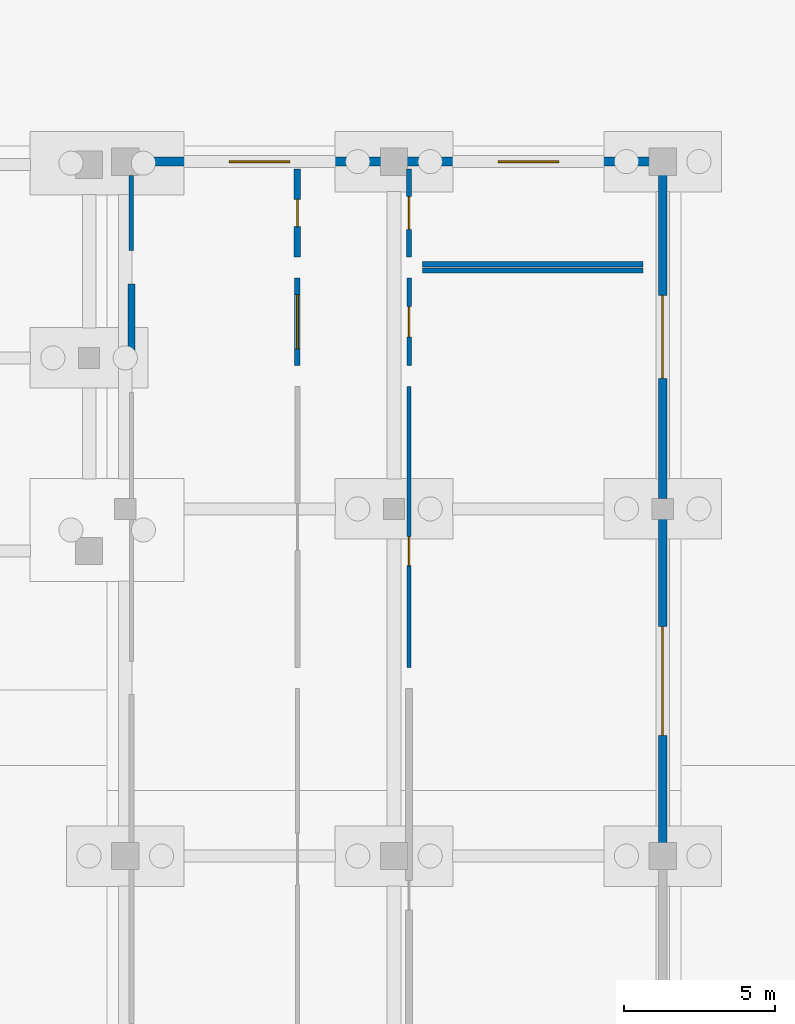
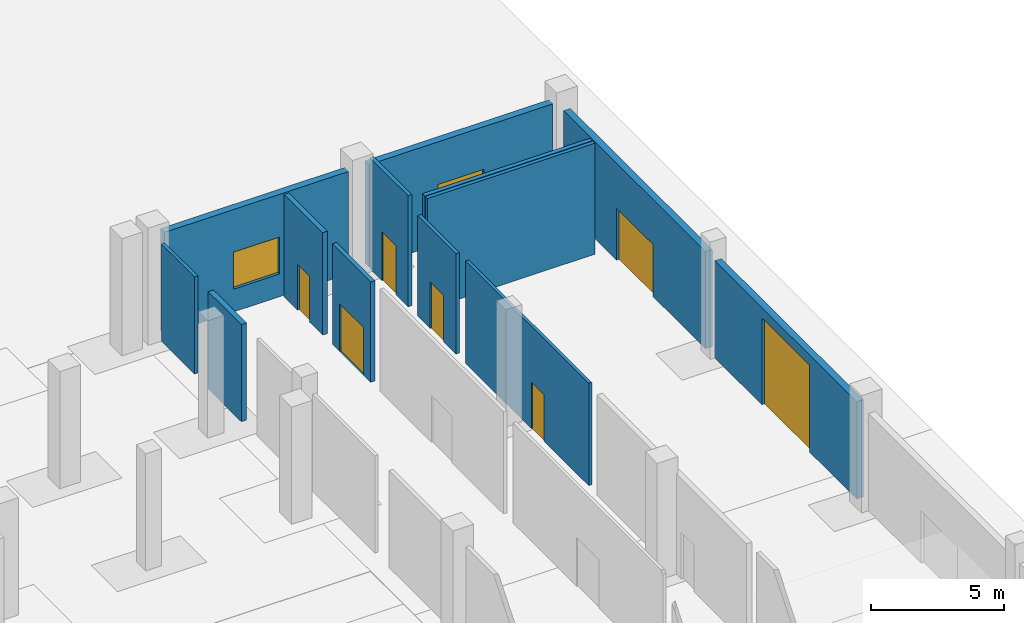
# One storey, part 42 of 68: 13 walls, 7 doors, 2 windows, 9 openings.
"""IFC4 building model written with IfcOpenShell, lengths in metres."""

import ifcopenshell
import ifcopenshell.guid

model = None  # the IFC model being written
_history = None  # IfcOwnerHistory: only IFC2X3 demands one
_inside = {}  # id of a spatial element -> (the spatial element, [elements in it])
_under = {}  # id of a project, library or spatial element -> (it, [spatial elements below it])
_declared = {}  # id of a project -> (the project, [libraries it declares])
_typed = {}  # id of a type object -> (the type object, [elements of that type])
_made_of = {}  # id of a material, layer set ... -> (it, [elements and type objects made of it])


def new_model(schema):
    """Start an empty IFC model of exactly this schema.

    Asked for "IFC4X3", IfcOpenShell would pick the latest addendum, in which some entities
    have other attributes; the version numbers below select the first issue.
    IFC2X3 requires an IfcOwnerHistory on every rooted entity: one is made here for all.
    """
    global model, _history
    if schema == "IFC4X3":
        model = ifcopenshell.file(schema_version=(4, 3, 0, 0))
    else:
        model = ifcopenshell.file(schema=schema)
    _inside.clear()
    _under.clear()
    _declared.clear()
    _typed.clear()
    _made_of.clear()
    _history = None
    if model.schema == "IFC2X3":
        org = make("IfcOrganization", Name="unknown")
        user = make(
            "IfcPersonAndOrganization",
            ThePerson=make("IfcPerson", FamilyName="unknown"),
            TheOrganization=org,
        )
        app = make(
            "IfcApplication",
            ApplicationDeveloper=org,
            Version="unknown",
            ApplicationFullName="unknown",
            ApplicationIdentifier="unknown",
        )
        _history = make(
            "IfcOwnerHistory",
            OwningUser=user,
            OwningApplication=app,
            ChangeAction="ADDED",
            CreationDate=0,
        )
    return model


def make(cls, **values):
    """One entity of the class cls with the attributes given. An attribute that is None is left unset."""
    return model.create_entity(
        cls, **{name: value for name, value in values.items() if value is not None}
    )


def rooted(cls, **values):
    """An entity with a GlobalId (a new one), such as an element, a storey or a relation."""
    return make(cls, GlobalId=ifcopenshell.guid.new(), OwnerHistory=_history, **values)


def si_unit(unit_type, name, prefix=None):
    """IfcSIUnit, for example si_unit("LENGTHUNIT", "METRE", prefix="MILLI")."""
    return make("IfcSIUnit", UnitType=unit_type, Prefix=prefix, Name=name)


def assignment(units):
    """IfcUnitAssignment: the units of a project."""
    return None if units is None else make("IfcUnitAssignment", Units=units)


def point(xyz):
    """IfcCartesianPoint."""
    return None if xyz is None else make("IfcCartesianPoint", Coordinates=xyz)


def direction(xyz):
    """IfcDirection."""
    return None if xyz is None else make("IfcDirection", DirectionRatios=xyz)


def frame(location, z_axis=None, x_axis=None):
    """IfcAxis2Placement3D, a coordinate frame: its origin and axes. An axis left out is left unset."""
    return make(
        "IfcAxis2Placement3D",
        Location=point(location),
        Axis=direction(z_axis),
        RefDirection=direction(x_axis),
    )


def frame_2d(location, x_axis=None):
    """IfcAxis2Placement2D, a coordinate frame in the plane: its origin and x axis."""
    return make(
        "IfcAxis2Placement2D", Location=point(location), RefDirection=direction(x_axis)
    )


def origin():
    """The frame at (0, 0, 0) with its axes left unset."""
    return frame((0.0, 0.0, 0.0))


def place(relative_to, where):
    """IfcLocalPlacement: puts the frame where relative to a parent placement (None: the world)."""
    return make(
        "IfcLocalPlacement", PlacementRelTo=relative_to, RelativePlacement=where
    )


def context(
    kind, dimensions, precision=None, world=None, true_north=None, identifier=None
):
    """IfcGeometricRepresentationContext, for example the 3D "Model" context."""
    return make(
        "IfcGeometricRepresentationContext",
        ContextIdentifier=identifier,
        ContextType=kind,
        CoordinateSpaceDimension=dimensions,
        Precision=precision,
        WorldCoordinateSystem=world,
        TrueNorth=true_north,
    )


def subcontext(parent, identifier, kind, view, scale=None):
    """IfcGeometricRepresentationSubContext, for example "Body" below "Model"."""
    return make(
        "IfcGeometricRepresentationSubContext",
        ContextIdentifier=identifier,
        ContextType=kind,
        ParentContext=parent,
        TargetScale=scale,
        TargetView=view,
    )


def project(units=None, contexts=None):
    """IfcProject with its units and contexts."""
    return rooted(
        "IfcProject",
        Name="project",
        RepresentationContexts=contexts,
        UnitsInContext=assignment(units),
    )


def spatial(cls, under=None, at=None, **own):
    """A site, building, storey or space (cls), placed at a placement, below another one or the project."""
    s = rooted(cls, ObjectPlacement=at, **own)
    if under is not None:
        _under.setdefault(under.id(), (under, []))[1].append(s)
    return s


def profile(cls, at=None, kind="AREA", **sizes):
    """A parametric profile (cls). Its sizes go by their IFC names, for example OverallWidth=200.0."""
    return make(cls, ProfileType=kind, Position=at, **sizes)


def rectangle(**sizes):
    """IfcRectangleProfileDef."""
    return profile("IfcRectangleProfileDef", **sizes)


def extrude(swept, where, along, depth):
    """IfcExtrudedAreaSolid: the profile swept, set in the frame where, extruded along a direction by depth."""
    return make(
        "IfcExtrudedAreaSolid",
        SweptArea=swept,
        Position=where,
        ExtrudedDirection=direction(along),
        Depth=depth,
    )


def shape(context_of_items, identifier, shape_type, items):
    """IfcShapeRepresentation: the items that make up one representation, for example the "Body"."""
    return make(
        "IfcShapeRepresentation",
        ContextOfItems=context_of_items,
        RepresentationIdentifier=identifier,
        RepresentationType=shape_type,
        Items=items,
    )


def material(Name=None, Category=None):
    """IfcMaterial."""
    return make("IfcMaterial", Name=Name, Category=Category)


def layer(
    of_material, thickness, ventilated=None, Name=None, Category=None, Priority=None
):
    """IfcMaterialLayer: one layer of a wall or slab, of a material (None: an air gap)."""
    return make(
        "IfcMaterialLayer",
        Material=of_material,
        LayerThickness=thickness,
        IsVentilated=ventilated,
        Name=Name,
        Category=Category,
        Priority=Priority,
    )


def layer_set(layers, Name=None):
    """IfcMaterialLayerSet."""
    return make("IfcMaterialLayerSet", MaterialLayers=layers, LayerSetName=Name)


def made_of(thing, what):
    """Note that an element or type object is made of a material, layer set ...; save() writes the relation."""
    if what is not None:
        _made_of.setdefault(what.id(), (what, []))[1].append(thing)
    return thing


def type_object(cls, material=None, **own):
    """A type object (cls), such as IfcWallType, which elements share."""
    return made_of(rooted(cls, **own), material)


def element(
    cls,
    number,
    at=None,
    inside=None,
    cuts=None,
    type_object=None,
    material=None,
    context=None,
    identifier="Body",
    shape_type=None,
    held_by="IfcProductDefinitionShape",
    body=None,
    shapes=None,
    **own,
):
    """One element of the class cls, such as IfcWall. Its Tag is "e" and its number.

    at: its placement. inside: the storey or other place that contains it. cuts: it is an
    opening in that element (IfcRelVoidsElement). A single representation is given by context,
    identifier, shape_type and body (its items); several are given by shapes. held_by: the class
    of the entity that holds the representations. save() writes the other relations.
    """
    e = rooted(cls, Tag="e%d" % number, ObjectPlacement=at, **own)
    if body is not None:
        shapes = [shape(context, identifier, shape_type, body)]
    if shapes is not None:
        e.Representation = make(held_by, Representations=shapes)
    if inside is not None:
        _inside.setdefault(inside.id(), (inside, []))[1].append(e)
    if cuts is not None:
        rooted(
            "IfcRelVoidsElement", RelatingBuildingElement=cuts, RelatedOpeningElement=e
        )
    if type_object is not None:
        _typed.setdefault(type_object.id(), (type_object, []))[1].append(e)
    return made_of(e, material)


def fill(opening, filler):
    """IfcRelFillsElement: the door or window that sits in an opening."""
    return rooted(
        "IfcRelFillsElement",
        RelatingOpeningElement=opening,
        RelatedBuildingElement=filler,
    )


def aggregate(whole, parts):
    """IfcRelAggregates: a whole, such as a stair, and the parts it consists of."""
    return rooted("IfcRelAggregates", RelatingObject=whole, RelatedObjects=parts)


def save(model, path):
    """Write the relations noted so far, then the file.

    IfcRelAggregates (storeys below a building ...), IfcRelContainedInSpatialStructure (elements
    in a storey), IfcRelDefinesByType, IfcRelAssociatesMaterial and IfcRelDeclares: one each for
    every whole, place, type object, material and project.
    """
    for whole, parts in _under.values():
        aggregate(whole, parts)
    for where, things in _inside.values():
        rooted(
            "IfcRelContainedInSpatialStructure",
            RelatedElements=things,
            RelatingStructure=where,
        )
    for kind, things in _typed.values():
        rooted("IfcRelDefinesByType", RelatedObjects=things, RelatingType=kind)
    for what, things in _made_of.values():
        rooted("IfcRelAssociatesMaterial", RelatedObjects=things, RelatingMaterial=what)
    for by, libraries in _declared.values():
        rooted("IfcRelDeclares", RelatingContext=by, RelatedDefinitions=libraries)
    model.write(path)


model = new_model("IFC4")

# Units and contexts
model_context = context("Model", 3, precision=1e-05, world=origin(), true_north=direction((0.0, 1.0)))
body_context = subcontext(model_context, "Body", "Model", "MODEL_VIEW")
ifc_project = project(units=[si_unit("LENGTHUNIT", "METRE"), si_unit("AREAUNIT", "SQUARE_METRE"), si_unit("VOLUMEUNIT", "CUBIC_METRE"), si_unit("PLANEANGLEUNIT", "RADIAN"), si_unit("MASSUNIT", "GRAM", prefix="KILO")], contexts=[model_context])

# Site, building, storey
site_placement = place(None, origin())
site = spatial("IfcSite", under=ifc_project, at=site_placement, CompositionType="ELEMENT")
building_placement = place(site_placement, origin())
building = spatial("IfcBuilding", under=site, at=building_placement, Name="Candeia Ridge Stadium", CompositionType="ELEMENT")
storey_placement = place(building_placement, origin())
storey = spatial("IfcBuildingStorey", under=building, at=storey_placement, Name="L00", CompositionType="ELEMENT", Elevation=0.0)

# Walls
ifc_material_1 = material(Name="Gypsum Metal-Stud Partition", Category="gypsum")
ifc_layer_1 = layer(ifc_material_1, 0.14501953125, Name="Gypsum Metal-Stud Partition", Category="gypsum")
ifc_layer_set_1 = layer_set([ifc_layer_1], Name="Gypsum Metal-Stud Partition")
wall_type_1 = type_object("IfcWallType", Name="Athlete Recovery Partition 145", PredefinedType="PARTITIONING", material=ifc_layer_set_1)
wall_1_placement = place(storey_placement, frame((193.800048828125, 143.550048828125, 0.0), z_axis=(0.0, 0.0, 1.0), x_axis=(0.0, 1.0, 0.0)))
element("IfcWall", 1, at=wall_1_placement, inside=storey, type_object=wall_type_1, Name="Demising partition PT-L00-0049", PredefinedType="PARTITIONING", context=body_context, shape_type="SweptSolid", body=[
    extrude(rectangle(XDim=2.5, YDim=0.14501953125, at=frame_2d((1.25, 0.0))), origin(), (0.0, 0.0, 1.0), 4.47509765625),
])
ifc_material_2 = material(Name="Gypsum Acoustic Twin-Stud Assembly", Category="gypsum")
ifc_layer_2 = layer(ifc_material_2, 0.159912109375, Name="Gypsum Acoustic Twin-Stud Assembly", Category="gypsum")
ifc_layer_set_2 = layer_set([ifc_layer_2], Name="Gypsum Acoustic Twin-Stud Assembly")
wall_type_2 = type_object("IfcWallType", Name="Club Dining Acoustic Partition 160", PredefinedType="PARTITIONING", material=ifc_layer_set_2)
wall_2_placement = place(storey_placement, frame((203.449951171875, 142.89990234375, 0.0), z_axis=(0.0, 0.0, 1.0), x_axis=(1.0, 0.0, 0.0)))
element("IfcWall", 2, at=wall_2_placement, inside=storey, type_object=wall_type_2, Name="Demising partition PT-L00-0047", PredefinedType="PARTITIONING", context=body_context, shape_type="SweptSolid", body=[
    extrude(rectangle(XDim=7.300048828125, YDim=0.159912109375, at=frame_2d((3.64990234375, 0.0))), origin(), (0.0, 0.0, 1.0), 5.1201171875),
])

# Wall, opening, door
wall_3_placement = place(storey_placement, frame((203.0, 143.35009765625, 0.0), z_axis=(0.0, 0.0, 1.0), x_axis=(0.0, 1.0, 0.0)))
wall_3 = element("IfcWall", 3, at=wall_3_placement, inside=storey, type_object=wall_type_2, Name="Interior partition PT-L00-0050", PredefinedType="PARTITIONING", context=body_context, shape_type="SweptSolid", body=[
    extrude(rectangle(XDim=2.89990234375, YDim=0.159912109375, at=frame_2d((1.449951171875, 0.0))), origin(), (0.0, 0.0, 1.0), 5.1201171875),
])
opening_1_placement = place(wall_3_placement, frame((0.909912109375, 0.0, 0.0)))
opening_1 = element("IfcOpeningElement", 4, at=opening_1_placement, cuts=wall_3, Name="Opening ID08", PredefinedType="OPENING", context=body_context, shape_type="SweptSolid", body=[
    extrude(rectangle(XDim=1.080078125, YDim=2.25, at=frame_2d((0.5400390625, 1.125))), frame((0.0, 0.08984375, 0.0), z_axis=(0.0, -1.0, 0.0), x_axis=(1.0, 0.0, 0.0)), (0.0, 0.0, 1.0), 0.179931640625),
])
ifc_material_3 = material(Name="Western Red Cedar Acoustic Veneer", Category="wood")
door_type_1 = type_object("IfcDoorType", Name="Executive Skybox Entry Door 1080x2250", OperationType="NOTDEFINED", PredefinedType="DOOR", material=ifc_material_3)
door_1_placement = place(opening_1_placement, origin())
door_1 = element("IfcDoor", 5, at=door_1_placement, inside=storey, type_object=door_type_1, Name="Interior room door D-L00-0028", OperationType="SINGLE_SWING_LEFT", OverallHeight=2.25, OverallWidth=1.080078125, PredefinedType="DOOR", context=body_context, shape_type="SweptSolid", body=[
    extrude(rectangle(XDim=1.080078125, YDim=2.25, at=frame_2d((0.5400390625, 1.125))), frame((0.0, 0.02490234375, 0.0), z_axis=(0.0, -1.0, 0.0), x_axis=(1.0, 0.0, 0.0)), (0.0, 0.0, 1.0), 0.050048828125),
])
fill(opening_1, door_1)

ifc_material_4 = material(Name="Concrete Masonry Blockwork C25/30", Category="masonry")
ifc_layer_3 = layer(ifc_material_4, 0.14990234375, Name="Concrete Masonry Blockwork C25/30", Category="masonry")
ifc_layer_set_3 = layer_set([ifc_layer_3], Name="Concrete Masonry Blockwork C25/30")
wall_type_3 = type_object("IfcWallType", Name="Concourse Kiosk Partition 150", PredefinedType="PARTITIONING", material=ifc_layer_set_3)
wall_4_placement = place(storey_placement, frame((203.0, 139.75, 0.0), z_axis=(0.0, 0.0, 1.0), x_axis=(0.0, 1.0, 0.0)))
wall_4 = element("IfcWall", 6, at=wall_4_placement, inside=storey, type_object=wall_type_3, Name="Interior partition PT-L00-0046", PredefinedType="PARTITIONING", context=body_context, shape_type="SweptSolid", body=[
    extrude(rectangle(XDim=2.89990234375, YDim=0.14990234375, at=frame_2d((1.449951171875, 0.0))), origin(), (0.0, 0.0, 1.0), 4.625),
])
opening_2_placement = place(wall_4_placement, frame((0.949951171875, 0.0, 0.0)))
opening_2 = element("IfcOpeningElement", 7, at=opening_2_placement, cuts=wall_4, Name="Opening ID04", PredefinedType="OPENING", context=body_context, shape_type="SweptSolid", body=[
    extrude(rectangle(XDim=1.0, YDim=2.14990234375, at=frame_2d((0.5, 1.074951171875))), frame((0.0, 0.0849609375, 0.0), z_axis=(0.0, -1.0, 0.0), x_axis=(1.0, 0.0, 0.0)), (0.0, 0.0, 1.0), 0.169921875),
])
ifc_material_5 = material(Name="Powder-Coated Hollow Metal", Category="steel")
door_type_2 = type_object("IfcDoorType", Name="Concourse Kiosk Service Door 1000x2150", OperationType="NOTDEFINED", PredefinedType="DOOR", material=ifc_material_5)
door_2_placement = place(opening_2_placement, frame((1.0, 0.0, 0.0), z_axis=(0.0, 0.0, 1.0), x_axis=(-1.0, 0.0, 0.0)))
door_2 = element("IfcDoor", 8, at=door_2_placement, inside=storey, type_object=door_type_2, Name="Interior room door D-L00-0026", OperationType="SINGLE_SWING_LEFT", OverallHeight=2.14990234375, OverallWidth=1.0, PredefinedType="DOOR", context=body_context, shape_type="SweptSolid", body=[
    extrude(rectangle(XDim=1.0, YDim=2.14990234375, at=frame_2d((0.5, 1.074951171875))), frame((0.0, 0.02490234375, 0.0), z_axis=(0.0, -1.0, 0.0), x_axis=(1.0, 0.0, 0.0)), (0.0, 0.0, 1.0), 0.050048828125),
])
fill(opening_2, door_2)

ifc_layer_4 = layer(ifc_material_2, 0.179931640625, Name="Gypsum Acoustic Twin-Stud Assembly", Category="gypsum")
ifc_layer_set_4 = layer_set([ifc_layer_4], Name="Gypsum Acoustic Twin-Stud Assembly")
wall_type_4 = type_object("IfcWallType", Name="Corridor Fire Partition 180", PredefinedType="PARTITIONING", material=ifc_layer_set_4)
wall_5_placement = place(storey_placement, frame((199.300048828125, 142.64990234375, 0.0), z_axis=(0.0, 0.0, 1.0), x_axis=(0.0, -1.0, 0.0)))
wall_5 = element("IfcWall", 9, at=wall_5_placement, inside=storey, type_object=wall_type_4, Name="Interior partition PT-L00-0044", PredefinedType="PARTITIONING", context=body_context, shape_type="SweptSolid", body=[
    extrude(rectangle(XDim=2.89990234375, YDim=0.179931640625, at=frame_2d((1.449951171875, 0.0))), origin(), (0.0, 0.0, 1.0), 4.625),
])
opening_3_placement = place(wall_5_placement, frame((0.550048828125, 0.0, 0.0)))
opening_3 = element("IfcOpeningElement", 10, at=opening_3_placement, cuts=wall_5, Name="Opening FD03", PredefinedType="OPENING", context=body_context, shape_type="SweptSolid", body=[
    extrude(rectangle(XDim=1.800048828125, YDim=2.199951171875, at=frame_2d((0.89990234375, 1.10009765625))), frame((0.0, 0.099853515625, 0.0), z_axis=(0.0, -1.0, 0.0), x_axis=(1.0, 0.0, 0.0)), (0.0, 0.0, 1.0), 0.199951171875),
])
ifc_material_6 = material(Name="Timber Fire-Rated Acoustic", Category="wood")
door_type_3 = type_object("IfcDoorType", Name="Corridor Compartment Double Door 1800x2200", OperationType="NOTDEFINED", PredefinedType="DOOR", material=ifc_material_6)
door_3_placement = place(opening_3_placement, origin())
door_3 = element("IfcDoor", 11, at=door_3_placement, inside=storey, type_object=door_type_3, Name="Interior room door D-L00-0025", OperationType="DOUBLE_DOOR_SINGLE_SWING", OverallHeight=2.199951171875, OverallWidth=1.800048828125, PredefinedType="DOOR", context=body_context, shape_type="SweptSolid", body=[
    extrude(rectangle(XDim=1.800048828125, YDim=2.199951171875, at=frame_2d((0.89990234375, 1.10009765625))), frame((0.0, 0.02490234375, 0.0), z_axis=(0.0, -1.0, 0.0), x_axis=(1.0, 0.0, 0.0)), (0.0, 0.0, 1.0), 0.050048828125),
])
fill(opening_3, door_3)

# Wall
ifc_material_7 = material(Name="Moisture-Resistant Masonry & Tile", Category="masonry")
ifc_layer_5 = layer(ifc_material_7, 0.22998046875, Name="Moisture-Resistant Masonry & Tile", Category="masonry")
ifc_layer_set_5 = layer_set([ifc_layer_5], Name="Moisture-Resistant Masonry & Tile")
wall_type_5 = type_object("IfcWallType", Name="Dressing Suite Wet-Wall Chase 230", PredefinedType="PLUMBINGWALL", material=ifc_layer_set_5)
wall_6_placement = place(storey_placement, frame((193.800048828125, 139.949951171875, 0.0), z_axis=(0.0, 0.0, 1.0), x_axis=(0.0, 1.0, 0.0)))
element("IfcWall", 12, at=wall_6_placement, inside=storey, type_object=wall_type_5, Name="Demising partition PT-L00-0045", PredefinedType="PLUMBINGWALL", context=body_context, shape_type="SweptSolid", body=[
    extrude(rectangle(XDim=2.5, YDim=0.22998046875, at=frame_2d((1.25, 0.0))), origin(), (0.0, 0.0, 1.0), 4.47509765625),
])

# Wall, opening, window
ifc_material_8 = material(Name="Concrete C35/45", Category="concrete")
ifc_layer_6 = layer(ifc_material_8, 0.300048828125, Name="Concrete C35/45", Category="concrete")
ifc_layer_set_6 = layer_set([ifc_layer_6], Name="Concrete C35/45")
wall_type_6 = type_object("IfcWallType", Name="Exterior Pavilion Rainscreen Wall 300", PredefinedType="SOLIDWALL", material=ifc_layer_set_6)
wall_7_placement = place(storey_placement, frame((194.0380859375, 146.5, 0.0), z_axis=(0.0, 0.0, 1.0), x_axis=(1.0, 0.0, 0.0)))
wall_7 = element("IfcWall", 13, at=wall_7_placement, inside=storey, type_object=wall_type_6, Name="Exterior facade wall EW-L00-0132", PredefinedType="SOLIDWALL", context=body_context, shape_type="SweptSolid", body=[
    extrude(rectangle(XDim=8.02392578125, YDim=0.300048828125, at=frame_2d((4.011962890625, 0.0))), origin(), (0.0, 0.0, 1.0), 4.715087890625),
])
opening_4_placement = place(wall_7_placement, frame((3.011962890625, 0.0, 1.050048828125)))
opening_4 = element("IfcOpeningElement", 14, at=opening_4_placement, cuts=wall_7, Name="Opening W12", PredefinedType="OPENING", context=body_context, shape_type="SweptSolid", body=[
    extrude(rectangle(XDim=2.0, YDim=1.699951171875, at=frame_2d((1.0, 0.85009765625))), frame((0.0, 0.159912109375, 0.0), z_axis=(0.0, -1.0, 0.0), x_axis=(1.0, 0.0, 0.0)), (0.0, 0.0, 1.0), 0.320068359375),
])
ifc_material_9 = material(Name="Tempered Solar-Control Double Glazing", Category="glass")
window_type = type_object("IfcWindowType", Name="Community Room Window 2000x1700", PartitioningType="SINGLE_PANEL", PredefinedType="WINDOW", material=ifc_material_9)
window_1_placement = place(opening_4_placement, origin())
window_1 = element("IfcWindow", 15, at=window_1_placement, inside=storey, type_object=window_type, Name="Exterior window WIN-L00-069", OverallHeight=1.699951171875, OverallWidth=2.0, PartitioningType="SINGLE_PANEL", PredefinedType="WINDOW", context=body_context, shape_type="SweptSolid", body=[
    extrude(rectangle(XDim=2.0, YDim=1.699951171875, at=frame_2d((1.0, 0.85009765625))), frame((0.0, 0.030029296875, 0.0), z_axis=(0.0, -1.0, 0.0), x_axis=(1.0, 0.0, 0.0)), (0.0, 0.0, 1.0), 0.06005859375),
])
fill(opening_4, window_1)

wall_8_placement = place(storey_placement, frame((202.93798828125, 146.5, 0.0), z_axis=(0.0, 0.0, 1.0), x_axis=(1.0, 0.0, 0.0)))
wall_8 = element("IfcWall", 16, at=wall_8_placement, inside=storey, type_object=wall_type_6, Name="Exterior facade wall EW-L00-0133", PredefinedType="SOLIDWALL", context=body_context, shape_type="SweptSolid", body=[
    extrude(rectangle(XDim=8.02392578125, YDim=0.300048828125, at=frame_2d((4.011962890625, 0.0))), origin(), (0.0, 0.0, 1.0), 4.715087890625),
])
opening_5_placement = place(wall_8_placement, frame((3.011962890625, 0.0, 1.050048828125)))
opening_5 = element("IfcOpeningElement", 17, at=opening_5_placement, cuts=wall_8, Name="Opening W12", PredefinedType="OPENING", context=body_context, shape_type="SweptSolid", body=[
    extrude(rectangle(XDim=2.0, YDim=1.699951171875, at=frame_2d((1.0, 0.85009765625))), frame((0.0, 0.159912109375, 0.0), z_axis=(0.0, -1.0, 0.0), x_axis=(1.0, 0.0, 0.0)), (0.0, 0.0, 1.0), 0.320068359375),
])
window_2_placement = place(opening_5_placement, origin())
window_2 = element("IfcWindow", 18, at=window_2_placement, inside=storey, type_object=window_type, Name="Exterior window WIN-L00-070", OverallHeight=1.699951171875, OverallWidth=2.0, PartitioningType="SINGLE_PANEL", PredefinedType="WINDOW", context=body_context, shape_type="SweptSolid", body=[
    extrude(rectangle(XDim=2.0, YDim=1.699951171875, at=frame_2d((1.0, 0.85009765625))), frame((0.0, 0.030029296875, 0.0), z_axis=(0.0, -1.0, 0.0), x_axis=(1.0, 0.0, 0.0)), (0.0, 0.0, 1.0), 0.06005859375),
])
fill(opening_5, window_2)

# Wall, opening, door
ifc_layer_7 = layer(ifc_material_8, 0.2900390625, Name="Concrete C35/45", Category="concrete")
ifc_layer_set_7 = layer_set([ifc_layer_7], Name="Concrete C35/45")
wall_type_7 = type_object("IfcWallType", Name="Exterior Service & Plant Wall 290", PredefinedType="SOLIDWALL", material=ifc_layer_set_7)
wall_9_placement = place(storey_placement, frame((211.39990234375, 123.93798828125, 0.0), z_axis=(0.0, 0.0, 1.0), x_axis=(0.0, 1.0, 0.0)))
wall_9 = element("IfcWall", 19, at=wall_9_placement, inside=storey, type_object=wall_type_7, Name="Exterior facade wall EW-L00-0128", PredefinedType="SOLIDWALL", context=body_context, shape_type="SweptSolid", body=[
    extrude(rectangle(XDim=10.72412109375, YDim=0.2900390625, at=frame_2d((5.362060546875, 0.0))), origin(), (0.0, 0.0, 1.0), 4.47509765625),
])
opening_6_placement = place(wall_9_placement, frame((3.56201171875, 0.0, 0.0)))
opening_6 = element("IfcOpeningElement", 20, at=opening_6_placement, cuts=wall_9, Name="Opening RS01", PredefinedType="OPENING", context=body_context, shape_type="SweptSolid", body=[
    extrude(rectangle(XDim=3.60009765625, YDim=4.0, at=frame_2d((1.800048828125, 2.0))), frame((0.0, 0.155029296875, 0.0), z_axis=(0.0, -1.0, 0.0), x_axis=(1.0, 0.0, 0.0)), (0.0, 0.0, 1.0), 0.31005859375),
])
ifc_material_10 = material(Name="Galvanized Steel Roller Shutter", Category="steel")
door_type_4 = type_object("IfcDoorType", Name="Vehicle Service Roller Shutter 3600x4000", OperationType="NOTDEFINED", PredefinedType="DOOR", material=ifc_material_10)
door_4_placement = place(opening_6_placement, frame((3.60009765625, 0.0, 0.0), z_axis=(0.0, 0.0, 1.0), x_axis=(-1.0, 0.0, 0.0)))
door_4 = element("IfcDoor", 21, at=door_4_placement, inside=storey, type_object=door_type_4, Name="Service dock roller shutter LS04", OperationType="ROLLINGUP", OverallHeight=4.0, OverallWidth=3.60009765625, PredefinedType="DOOR", context=body_context, shape_type="SweptSolid", body=[
    extrude(rectangle(XDim=3.60009765625, YDim=4.0, at=frame_2d((1.800048828125, 2.0))), frame((0.0, 0.02490234375, 0.0), z_axis=(0.0, -1.0, 0.0), x_axis=(1.0, 0.0, 0.0)), (0.0, 0.0, 1.0), 0.050048828125),
])
fill(opening_6, door_4)

wall_10_placement = place(storey_placement, frame((211.39990234375, 135.337890625, 0.0), z_axis=(0.0, 0.0, 1.0), x_axis=(0.0, 1.0, 0.0)))
wall_10 = element("IfcWall", 22, at=wall_10_placement, inside=storey, type_object=wall_type_7, Name="Exterior facade wall EW-L00-0129", PredefinedType="SOLIDWALL", context=body_context, shape_type="SweptSolid", body=[
    extrude(rectangle(XDim=10.72412109375, YDim=0.2900390625, at=frame_2d((5.362060546875, 0.0))), origin(), (0.0, 0.0, 1.0), 4.47509765625),
])
opening_7_placement = place(wall_10_placement, frame((3.987060546875, 0.0, 0.0)))
opening_7 = element("IfcOpeningElement", 23, at=opening_7_placement, cuts=wall_10, Name="Opening ED01", PredefinedType="OPENING", context=body_context, shape_type="SweptSolid", body=[
    extrude(rectangle(XDim=2.75, YDim=2.39990234375, at=frame_2d((1.375, 1.199951171875))), frame((0.0, 0.155029296875, 0.0), z_axis=(0.0, -1.0, 0.0), x_axis=(1.0, 0.0, 0.0)), (0.0, 0.0, 1.0), 0.31005859375),
])
ifc_material_11 = material(Name="Aluminium Anodized Glazed Door", Category="aluminium")
door_type_5 = type_object("IfcDoorType", Name="Pedestrian Exit Double Door 2750x2400", OperationType="NOTDEFINED", PredefinedType="DOOR", material=ifc_material_11)
door_5_placement = place(opening_7_placement, frame((2.75, 0.0, 0.0), z_axis=(0.0, 0.0, 1.0), x_axis=(-1.0, 0.0, 0.0)))
door_5 = element("IfcDoor", 24, at=door_5_placement, inside=storey, type_object=door_type_5, Name="Pedestrian exit gate G14", OperationType="DOUBLE_DOOR_SINGLE_SWING", OverallHeight=2.39990234375, OverallWidth=2.75, PredefinedType="DOOR", context=body_context, shape_type="SweptSolid", body=[
    extrude(rectangle(XDim=2.75, YDim=2.39990234375, at=frame_2d((1.375, 1.199951171875))), frame((0.0, 0.02490234375, 0.0), z_axis=(0.0, -1.0, 0.0), x_axis=(1.0, 0.0, 0.0)), (0.0, 0.0, 1.0), 0.050048828125),
])
fill(opening_7, door_5)

# Wall
ifc_material_12 = material(Name="Gypsum Acoustic Triple-Board Wall", Category="gypsum")
ifc_layer_8 = layer(ifc_material_12, 0.18505859375, Name="Gypsum Acoustic Triple-Board Wall", Category="gypsum")
ifc_layer_set_8 = layer_set([ifc_layer_8], Name="Gypsum Acoustic Triple-Board Wall")
wall_type_8 = type_object("IfcWallType", Name="Media Booth Studio Divider 185", PredefinedType="PARTITIONING", material=ifc_layer_set_8)
wall_11_placement = place(storey_placement, frame((210.75, 143.10009765625, 0.0), z_axis=(0.0, 0.0, 1.0), x_axis=(-1.0, 0.0, 0.0)))
element("IfcWall", 25, at=wall_11_placement, inside=storey, type_object=wall_type_8, Name="Demising partition PT-L00-0051", PredefinedType="PARTITIONING", context=body_context, shape_type="SweptSolid", body=[
    extrude(rectangle(XDim=7.300048828125, YDim=0.18505859375, at=frame_2d((3.64990234375, 0.0))), origin(), (0.0, 0.0, 1.0), 5.1201171875),
])

# Wall, opening, door
ifc_layer_9 = layer(ifc_material_7, 0.2099609375, Name="Moisture-Resistant Masonry & Tile", Category="masonry")
ifc_layer_set_9 = layer_set([ifc_layer_9], Name="Moisture-Resistant Masonry & Tile")
wall_type_9 = type_object("IfcWallType", Name="Sanitary Wet-Wall Plumbing Chase 210", PredefinedType="PLUMBINGWALL", material=ifc_layer_set_9)
wall_12_placement = place(storey_placement, frame((199.300048828125, 146.25, 0.0), z_axis=(0.0, 0.0, 1.0), x_axis=(0.0, -1.0, 0.0)))
wall_12 = element("IfcWall", 26, at=wall_12_placement, inside=storey, type_object=wall_type_9, Name="Interior partition PT-L00-0048", PredefinedType="PLUMBINGWALL", context=body_context, shape_type="SweptSolid", body=[
    extrude(rectangle(XDim=2.89990234375, YDim=0.2099609375, at=frame_2d((1.449951171875, 0.0))), origin(), (0.0, 0.0, 1.0), 4.715087890625),
])
opening_8_placement = place(wall_12_placement, frame((1.0, 0.0, 0.0)))
opening_8 = element("IfcOpeningElement", 27, at=opening_8_placement, cuts=wall_12, Name="Opening ID07", PredefinedType="OPENING", context=body_context, shape_type="SweptSolid", body=[
    extrude(rectangle(XDim=0.89990234375, YDim=2.10009765625, at=frame_2d((0.449951171875, 1.050048828125))), frame((0.0, 0.114990234375, 0.0), z_axis=(0.0, -1.0, 0.0), x_axis=(1.0, 0.0, 0.0)), (0.0, 0.0, 1.0), 0.22998046875),
])
ifc_material_13 = material(Name="Moisture-Resistant Laminate", Category="wood")
door_type_6 = type_object("IfcDoorType", Name="Sanitary Lobby Single Door 900x2100", OperationType="NOTDEFINED", PredefinedType="DOOR", material=ifc_material_13)
door_6_placement = place(opening_8_placement, frame((0.89990234375, 0.0, 0.0), z_axis=(0.0, 0.0, 1.0), x_axis=(-1.0, 0.0, 0.0)))
door_6 = element("IfcDoor", 28, at=door_6_placement, inside=storey, type_object=door_type_6, Name="Interior room door D-L00-0027", OperationType="SINGLE_SWING_RIGHT", OverallHeight=2.10009765625, OverallWidth=0.89990234375, PredefinedType="DOOR", context=body_context, shape_type="SweptSolid", body=[
    extrude(rectangle(XDim=0.89990234375, YDim=2.10009765625, at=frame_2d((0.449951171875, 1.050048828125))), frame((0.0, 0.02490234375, 0.0), z_axis=(0.0, -1.0, 0.0), x_axis=(1.0, 0.0, 0.0)), (0.0, 0.0, 1.0), 0.050048828125),
])
fill(opening_8, door_6)

ifc_layer_10 = layer(ifc_material_1, 0.1298828125, Name="Gypsum Metal-Stud Partition", Category="gypsum")
ifc_layer_set_10 = layer_set([ifc_layer_10], Name="Gypsum Metal-Stud Partition")
wall_type_10 = type_object("IfcWallType", Name="Ticketing Back-Office Partition 130", PredefinedType="PARTITIONING", material=ifc_layer_set_10)
wall_13_placement = place(storey_placement, frame((203.0, 129.75, 0.0), z_axis=(0.0, 0.0, 1.0), x_axis=(0.0, 1.0, 0.0)))
wall_13 = element("IfcWall", 29, at=wall_13_placement, inside=storey, type_object=wall_type_10, Name="Interior partition PT-L00-0043", PredefinedType="PARTITIONING", context=body_context, shape_type="SweptSolid", body=[
    extrude(rectangle(XDim=9.300048828125, YDim=0.1298828125, at=frame_2d((4.64990234375, 0.0))), origin(), (0.0, 0.0, 1.0), 4.715087890625),
])
opening_9_placement = place(wall_13_placement, frame((3.3701171875, 0.0, 0.0)))
opening_9 = element("IfcOpeningElement", 30, at=opening_9_placement, cuts=wall_13, Name="Opening ID17", PredefinedType="OPENING", context=body_context, shape_type="SweptSolid", body=[
    extrude(rectangle(XDim=0.9599609375, YDim=2.14990234375, at=frame_2d((0.47998046875, 1.074951171875))), frame((0.0, 0.074951171875, 0.0), z_axis=(0.0, -1.0, 0.0), x_axis=(1.0, 0.0, 0.0)), (0.0, 0.0, 1.0), 0.14990234375),
])
ifc_material_14 = material(Name="Solid Core Cedar Veneer", Category="wood")
door_type_7 = type_object("IfcDoorType", Name="Ticketing Office Single Door 960x2150", OperationType="NOTDEFINED", PredefinedType="DOOR", material=ifc_material_14)
door_7_placement = place(opening_9_placement, origin())
door_7 = element("IfcDoor", 31, at=door_7_placement, inside=storey, type_object=door_type_7, Name="Interior room door D-L00-0024", OperationType="SINGLE_SWING_RIGHT", OverallHeight=2.14990234375, OverallWidth=0.9599609375, PredefinedType="DOOR", context=body_context, shape_type="SweptSolid", body=[
    extrude(rectangle(XDim=0.9599609375, YDim=2.14990234375, at=frame_2d((0.47998046875, 1.074951171875))), frame((0.0, 0.02490234375, 0.0), z_axis=(0.0, -1.0, 0.0), x_axis=(1.0, 0.0, 0.0)), (0.0, 0.0, 1.0), 0.050048828125),
])
fill(opening_9, door_7)

save(model, "model.ifc")
